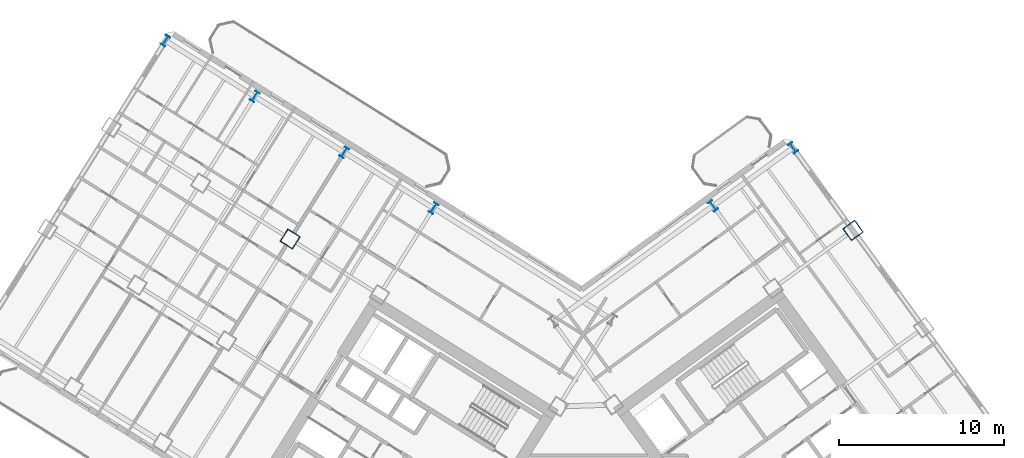
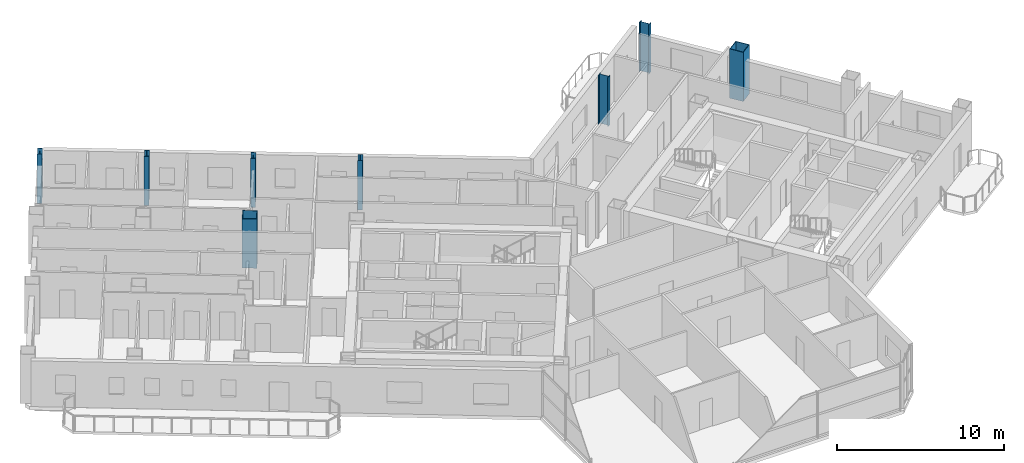
# One storey, part 3 of 21: 8 columns.
"""IFC4 building model written with IfcOpenShell, lengths in metres."""

from ifc_helpers import new_model, si_unit, direction, frame, origin, origin_2d, place, context, subcontext, project, spatial, hollow_rectangle, i_section, extrude, source, transform, mapped, material, material_profile, profile_set, type_object, element, save


model = new_model("IFC4")

# Units and contexts
model_context = context("Model", 3, precision=1e-05, world=origin(), true_north=direction((0.0, 1.0)))
body_context = subcontext(model_context, "Body", "Model", "MODEL_VIEW")
ifc_project = project(units=[si_unit("LENGTHUNIT", "METRE"), si_unit("AREAUNIT", "SQUARE_METRE"), si_unit("VOLUMEUNIT", "CUBIC_METRE"), si_unit("PLANEANGLEUNIT", "RADIAN"), si_unit("MASSUNIT", "GRAM", prefix="KILO")], contexts=[model_context])

# Site, building, storey
site_placement = place(None, origin())
site = spatial("IfcSite", under=ifc_project, at=site_placement, CompositionType="ELEMENT")
building_placement = place(site_placement, origin())
building = spatial("IfcBuilding", under=site, at=building_placement, Name="Tlacorven Tower", CompositionType="ELEMENT")
storey_placement = place(building_placement, frame((0.0, 0.0, 93.60009765625)))
storey = spatial("IfcBuildingStorey", under=building, at=storey_placement, Name="L23", CompositionType="ELEMENT", Elevation=93.60009765625)

# Columns
ifc_material = material(Name="Steel S460M", Category="steel")
ifc_material_profile_1 = material_profile(ifc_material, i_section(OverallWidth=0.300048828125, OverallDepth=0.64990234375, WebThickness=0.01611328125, FlangeThickness=0.031005859375, at=origin_2d()), Name="HEB 650")
ifc_profile_set_1 = profile_set([ifc_material_profile_1], Name="Steel S460M")
column_type_1 = type_object("IfcColumnType", Name="COL-TWR-P1", PredefinedType="COLUMN", material=ifc_profile_set_1)
shared_shape_1 = source(origin(), body_context, "Body", "SweptSolid", [
    extrude(i_section(OverallWidth=0.300048828125, OverallDepth=0.64990234375, WebThickness=0.01611328125, FlangeThickness=0.031005859375, at=origin_2d()), origin(), (0.0, 0.0, 1.0), 3.599853515625),
])
for number, where, z_axis, x_axis, name in (
    (1, (33.21337890625, 36.50927734375, 0.0), (0.0, 0.0, 1.0), (-0.848048096156, 0.529919264233, 0.0), "L23 column COL-L23-W3-1"),
    (2, (27.785888671875, 39.900634765625, 0.0), (0.0, 0.0, 1.0), (-0.848048096156, 0.529919264233, 0.0), "L23 column COL-L23-W4-1"),
    (3, (22.3583984375, 43.292236328125, 0.0), (0.0, 0.0, 1.0), (-0.848048096156, 0.529919264233, 0.0), "L23 column COL-L23-W5-1"),
    (4, (16.930908203125, 46.68359375, 0.0), (0.0, 0.0, 1.0), (-0.848048096156, 0.529919264233, 0.0), "L23 column COL-L23-W6-1"),
    (5, (50.187744140625, 36.654296875, 0.0), (0.0, 0.0, 1.0), (0.809016994375, 0.587785252292, 0.0), "L23 column COL-L23-E3-4"),
    (6, (55.041748046875, 40.18115234375, 0.0), (0.0, 0.0, 1.0), (0.809016994375, 0.587785252292, 0.0), "L23 column COL-L23-E4-4"),
):
    element("IfcColumn", number, at=place(storey_placement, frame(where, z_axis=z_axis, x_axis=x_axis)), inside=storey, type_object=column_type_1, Name=name, PredefinedType="COLUMN", context=body_context, shape_type="MappedRepresentation", body=[
        mapped(shared_shape_1, transform((0.0, 0.0, 0.0), scale=1.0)),
    ])
ifc_material_profile_2 = material_profile(ifc_material, hollow_rectangle(XDim=0.89990234375, YDim=0.89990234375, WallThickness=0.035888671875, at=origin_2d()), Name="BOX 900X900X36")
ifc_profile_set_2 = profile_set([ifc_material_profile_2], Name="Steel S460M")
column_type_2 = type_object("IfcColumnType", Name="COL-TWR-S2", PredefinedType="COLUMN", material=ifc_profile_set_2)
shared_shape_2 = source(origin(), body_context, "Body", "SweptSolid", [
    extrude(hollow_rectangle(XDim=0.89990234375, YDim=0.89990234375, WallThickness=0.035888671875, at=origin_2d()), origin(), (0.0, 0.0, 1.0), 3.599853515625),
])
for number, where, z_axis, x_axis, name in (
    (7, (24.50048828125, 34.642822265625, 0.0), (0.0, 0.0, 1.0), (-0.848048096156, 0.529919264233, 0.0), "L23 column COL-L23-W4-2"),
    (8, (58.68603515625, 35.165283203125, 0.0), (0.0, 0.0, 1.0), (0.809016994375, 0.587785252292, 0.0), "L23 column COL-L23-E4-3"),
):
    element("IfcColumn", number, at=place(storey_placement, frame(where, z_axis=z_axis, x_axis=x_axis)), inside=storey, type_object=column_type_2, Name=name, PredefinedType="COLUMN", context=body_context, shape_type="MappedRepresentation", body=[
        mapped(shared_shape_2, transform((0.0, 0.0, 0.0), scale=1.0)),
    ])

save(model, "model.ifc")
